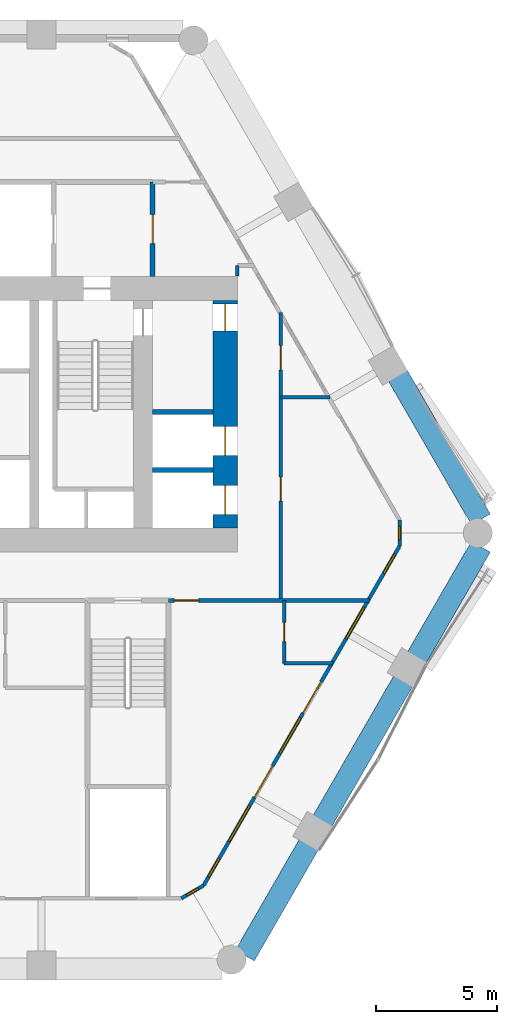
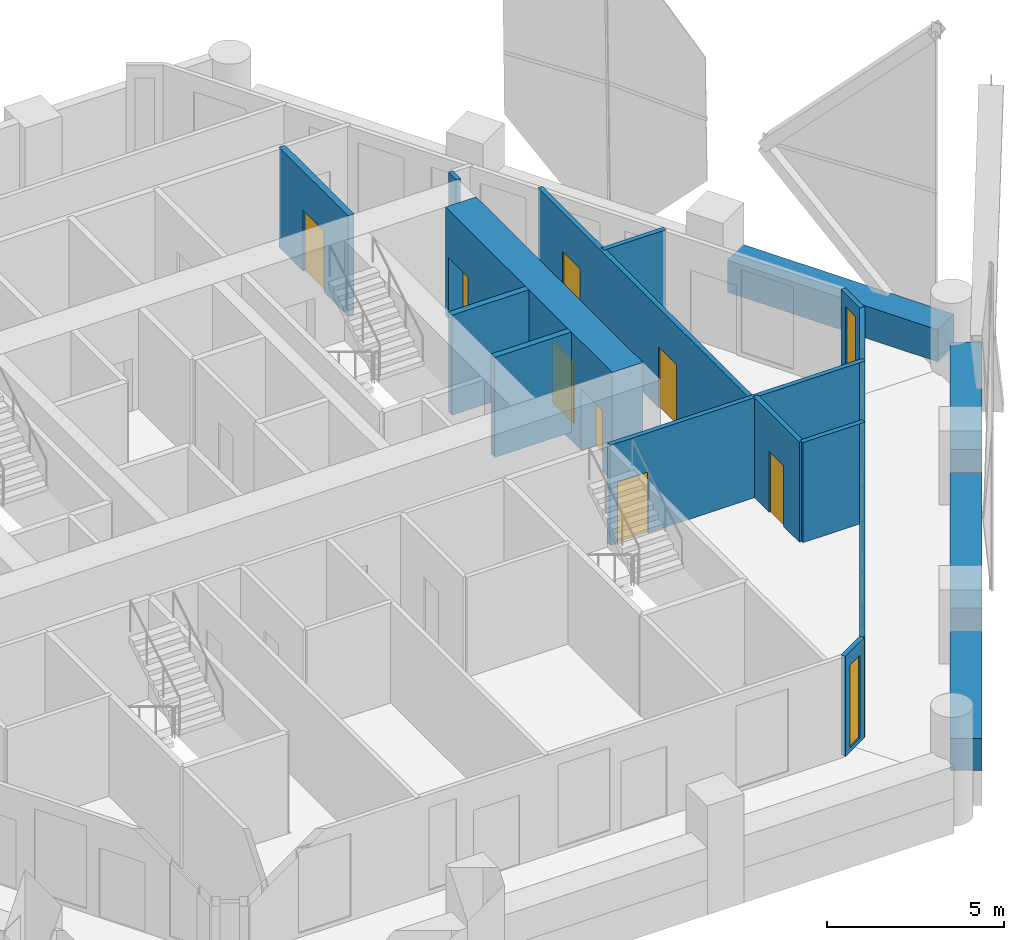
# One storey, part 12 of 17: 17 walls, 10 doors, 7 windows, 17 openings.
"""IFC4 building model written with IfcOpenShell, lengths in metres."""

from ifc_helpers import new_model, si_unit, direction, frame, frame_2d, origin, place, context, subcontext, project, spatial, rectangle, extrude, material, layer, layer_set, type_object, element, fill, save


model = new_model("IFC4")

# Units and contexts
model_context = context("Model", 3, precision=1e-05, world=origin(), true_north=direction((0.0, 1.0)))
body_context = subcontext(model_context, "Body", "Model", "MODEL_VIEW")
ifc_project = project(units=[si_unit("LENGTHUNIT", "METRE"), si_unit("AREAUNIT", "SQUARE_METRE"), si_unit("VOLUMEUNIT", "CUBIC_METRE"), si_unit("PLANEANGLEUNIT", "RADIAN"), si_unit("MASSUNIT", "GRAM", prefix="KILO")], contexts=[model_context])

# Site, building, storey
site_placement = place(None, origin())
site = spatial("IfcSite", under=ifc_project, at=site_placement, CompositionType="ELEMENT")
building_placement = place(site_placement, origin())
building = spatial("IfcBuilding", under=site, at=building_placement, Name="Ostrander Bayou Hotel Tower", CompositionType="ELEMENT")
storey_placement = place(building_placement, frame((0.0, 0.0, 127.25)))
storey = spatial("IfcBuildingStorey", under=building, at=storey_placement, Name="L31", CompositionType="ELEMENT", Elevation=127.25)

# Wall, openings, doors
ifc_material_1 = material(Name="Concrete f'c 70 MPa", Category="concrete")
ifc_layer_1 = layer(ifc_material_1, 1.0)
ifc_layer_set_1 = layer_set([ifc_layer_1], Name="CW4 core wall 1000 mm f'c 70 MPa")
wall_type_1 = type_object("IfcWallType", Name="CW4 core wall 1000 mm f'c 70 MPa", PredefinedType="SHEAR", material=ifc_layer_set_1)
wall_1_placement = place(storey_placement, frame((11.5, -0.699951171875, -0.300048828125), z_axis=(0.0, 0.0, 1.0), x_axis=(0.0, 1.0, 0.0)))
wall_1 = element("IfcWall", 1, at=wall_1_placement, inside=storey, type_object=wall_type_1, Name="CW4 L31 RE", PredefinedType="SHEAR", context=body_context, shape_type="SweptSolid", body=[
    extrude(rectangle(XDim=9.39990234375, YDim=1.0, at=frame_2d((4.699951171875, 0.0))), origin(), (0.0, 0.0, 1.0), 3.75),
])
opening_1_placement = place(wall_1_placement, frame((8.14990234375, 0.0, 0.0)))
opening_1 = element("IfcOpeningElement", 2, at=opening_1_placement, cuts=wall_1, Name="Opening T31-018", PredefinedType="OPENING", context=body_context, shape_type="SweptSolid", body=[
    extrude(rectangle(XDim=1.10009765625, YDim=2.10009765625, at=frame_2d((0.550048828125, 1.050048828125))), frame((0.0, 0.5, 0.0), z_axis=(0.0, -1.0, 0.0), x_axis=(1.0, 0.0, 0.0)), (0.0, 0.0, 1.0), 1.0),
])
opening_2_placement = place(wall_1_placement, frame((0.550048828125, 0.0, 0.0)))
opening_2 = element("IfcOpeningElement", 3, at=opening_2_placement, cuts=wall_1, Name="Opening T31-019", PredefinedType="OPENING", context=body_context, shape_type="SweptSolid", body=[
    extrude(rectangle(XDim=1.199951171875, YDim=2.10009765625, at=frame_2d((0.60009765625, 1.050048828125))), frame((0.0, 0.5, 0.0), z_axis=(0.0, -1.0, 0.0), x_axis=(1.0, 0.0, 0.0)), (0.0, 0.0, 1.0), 1.0),
])
opening_3_placement = place(wall_1_placement, frame((3.0, 0.0, 0.0)))
opening_3 = element("IfcOpeningElement", 4, at=opening_3_placement, cuts=wall_1, Name="Opening T31-020", PredefinedType="OPENING", context=body_context, shape_type="SweptSolid", body=[
    extrude(rectangle(XDim=1.199951171875, YDim=2.10009765625, at=frame_2d((0.60009765625, 1.050048828125))), frame((0.0, 0.5, 0.0), z_axis=(0.0, -1.0, 0.0), x_axis=(1.0, 0.0, 0.0)), (0.0, 0.0, 1.0), 1.0),
])
ifc_material_2 = material(Name="Timber door leaf", Category="wood")
door_type_1 = type_object("IfcDoorType", Name="D5 stair door 1100 x 2100 mm, 90 minute", OperationType="SINGLE_SWING_LEFT", PredefinedType="DOOR", material=ifc_material_2)
door_1_placement = place(opening_1_placement, origin())
door_1 = element("IfcDoor", 5, at=door_1_placement, inside=storey, type_object=door_type_1, Name="dr:L31:018", OperationType="SINGLE_SWING_RIGHT", OverallHeight=2.10009765625, OverallWidth=1.10009765625, PredefinedType="DOOR", context=body_context, shape_type="SweptSolid", body=[
    extrude(rectangle(XDim=1.10009765625, YDim=2.10009765625, at=frame_2d((0.550048828125, 1.050048828125))), frame((0.0, 0.02490234375, 0.0), z_axis=(0.0, -1.0, 0.0), x_axis=(1.0, 0.0, 0.0)), (0.0, 0.0, 1.0), 0.050048828125),
])
fill(opening_1, door_1)
ifc_material_3 = material(Name="Stainless steel sliding door", Category="steel")
door_type_2 = type_object("IfcDoorType", Name="LD1 lift landing door 1200 x 2100 mm", OperationType="SINGLE_SWING_LEFT", PredefinedType="DOOR", material=ifc_material_3)
door_2_placement = place(opening_2_placement, origin())
door_2 = element("IfcDoor", 6, at=door_2_placement, inside=storey, type_object=door_type_2, Name="dr:L31:019", OperationType="SLIDING_TO_LEFT", OverallHeight=2.10009765625, OverallWidth=1.199951171875, PredefinedType="DOOR", context=body_context, shape_type="SweptSolid", body=[
    extrude(rectangle(XDim=1.199951171875, YDim=2.10009765625, at=frame_2d((0.60009765625, 1.050048828125))), frame((0.0, 0.02490234375, 0.0), z_axis=(0.0, -1.0, 0.0), x_axis=(1.0, 0.0, 0.0)), (0.0, 0.0, 1.0), 0.050048828125),
])
fill(opening_2, door_2)
door_3_placement = place(opening_3_placement, origin())
door_3 = element("IfcDoor", 7, at=door_3_placement, inside=storey, type_object=door_type_2, Name="dr:L31:020", OperationType="SLIDING_TO_LEFT", OverallHeight=2.10009765625, OverallWidth=1.199951171875, PredefinedType="DOOR", context=body_context, shape_type="SweptSolid", body=[
    extrude(rectangle(XDim=1.199951171875, YDim=2.10009765625, at=frame_2d((0.60009765625, 1.050048828125))), frame((0.0, 0.02490234375, 0.0), z_axis=(0.0, -1.0, 0.0), x_axis=(1.0, 0.0, 0.0)), (0.0, 0.0, 1.0), 0.050048828125),
])
fill(opening_3, door_3)

# Wall, openings, doors, windows
ifc_material_4 = material(Name="Aluminium framed insulated wall", Category="aluminium")
ifc_layer_2 = layer(ifc_material_4, 0.14990234375)
ifc_layer_set_2 = layer_set([ifc_layer_2], Name="GW1 glass-line wall 150 mm")
wall_type_2 = type_object("IfcWallType", Name="GW1 glass-line wall 150 mm", PredefinedType="SOLIDWALL", material=ifc_layer_set_2)
wall_2_placement = place(storey_placement, frame((10.60498046875, -15.4814453125, 0.0), z_axis=(0.0, 0.0, 1.0), x_axis=(0.500010582961, 0.866019293623, 0.0)))
wall_2 = element("IfcWall", 8, at=wall_2_placement, inside=storey, type_object=wall_type_2, Name="GW1 L31 SE 1", PredefinedType="SOLIDWALL", context=body_context, shape_type="SweptSolid", body=[
    extrude(rectangle(XDim=16.209716796875, YDim=0.14990234375, at=frame_2d((8.10498046875, 0.0))), origin(), (0.0, 0.0, 1.0), 3.449951171875),
])
opening_4_placement = place(wall_2_placement, frame((2.10498046875, 0.0, 0.14990234375)))
opening_4 = element("IfcOpeningElement", 9, at=opening_4_placement, cuts=wall_2, Name="Opening W2", PredefinedType="OPENING", context=body_context, shape_type="SweptSolid", body=[
    extrude(rectangle(XDim=1.699951171875, YDim=2.85009765625, at=frame_2d((0.85009765625, 1.425048828125))), frame((0.0, 0.074951171875, 0.0), z_axis=(0.0, -1.0, 0.0), x_axis=(1.0, 0.0, 0.0)), (0.0, 0.0, 1.0), 0.14990234375),
])
opening_5_placement = place(wall_2_placement, frame((4.204833984375, 0.0, 0.0)))
opening_5 = element("IfcOpeningElement", 10, at=opening_5_placement, cuts=wall_2, Name="Opening T31-806", PredefinedType="OPENING", context=body_context, shape_type="SweptSolid", body=[
    extrude(rectangle(XDim=1.5, YDim=2.39990234375, at=frame_2d((0.75, 1.199951171875))), frame((0.0, 0.074951171875, 0.0), z_axis=(0.0, -1.0, 0.0), x_axis=(1.0, 0.0, 0.0)), (0.0, 0.0, 1.0), 0.14990234375),
])
opening_6_placement = place(wall_2_placement, frame((6.304931640625, 0.0, 0.14990234375)))
opening_6 = element("IfcOpeningElement", 11, at=opening_6_placement, cuts=wall_2, Name="Opening W2", PredefinedType="OPENING", context=body_context, shape_type="SweptSolid", body=[
    extrude(rectangle(XDim=1.699951171875, YDim=2.85009765625, at=frame_2d((0.85009765625, 1.425048828125))), frame((0.0, 0.074951171875, 0.0), z_axis=(0.0, -1.0, 0.0), x_axis=(1.0, 0.0, 0.0)), (0.0, 0.0, 1.0), 0.14990234375),
])
opening_7_placement = place(wall_2_placement, frame((8.227783203125, 0.0, 0.0)))
opening_7 = element("IfcOpeningElement", 12, at=opening_7_placement, cuts=wall_2, Name="Opening T31-807", PredefinedType="OPENING", context=body_context, shape_type="SweptSolid", body=[
    extrude(rectangle(XDim=1.5, YDim=2.39990234375, at=frame_2d((0.75, 1.199951171875))), frame((0.0, 0.074951171875, 0.0), z_axis=(0.0, -1.0, 0.0), x_axis=(1.0, 0.0, 0.0)), (0.0, 0.0, 1.0), 0.14990234375),
])
opening_8_placement = place(wall_2_placement, frame((11.780029296875, 0.0, 0.14990234375)))
opening_8 = element("IfcOpeningElement", 13, at=opening_8_placement, cuts=wall_2, Name="Opening W12", PredefinedType="OPENING", context=body_context, shape_type="SweptSolid", body=[
    extrude(rectangle(XDim=1.5, YDim=2.85009765625, at=frame_2d((0.75, 1.425048828125))), frame((0.0, 0.074951171875, 0.0), z_axis=(0.0, -1.0, 0.0), x_axis=(1.0, 0.0, 0.0)), (0.0, 0.0, 1.0), 0.14990234375),
])
opening_9_placement = place(wall_2_placement, frame((0.40234375, 0.0, 0.14990234375)))
opening_9 = element("IfcOpeningElement", 14, at=opening_9_placement, cuts=wall_2, Name="Opening W16", PredefinedType="OPENING", context=body_context, shape_type="SweptSolid", body=[
    extrude(rectangle(XDim=0.89990234375, YDim=2.72998046875, at=frame_2d((0.449951171875, 1.364990234375))), frame((0.0, 0.074951171875, 0.0), z_axis=(0.0, -1.0, 0.0), x_axis=(1.0, 0.0, 0.0)), (0.0, 0.0, 1.0), 0.14990234375),
])
opening_10_placement = place(wall_2_placement, frame((14.9072265625, 0.0, 0.14990234375)))
opening_10 = element("IfcOpeningElement", 15, at=opening_10_placement, cuts=wall_2, Name="Opening W16", PredefinedType="OPENING", context=body_context, shape_type="SweptSolid", body=[
    extrude(rectangle(XDim=0.89990234375, YDim=2.72998046875, at=frame_2d((0.449951171875, 1.364990234375))), frame((0.0, 0.074951171875, 0.0), z_axis=(0.0, -1.0, 0.0), x_axis=(1.0, 0.0, 0.0)), (0.0, 0.0, 1.0), 0.14990234375),
])
ifc_material_5 = material(Name="Aluminium and clear glass", Category="aluminium")
door_type_3 = type_object("IfcDoorType", Name="SD2 sliding glass door 1500 mm, zone 2", OperationType="SLIDING_TO_LEFT", PredefinedType="DOOR", material=ifc_material_5)
door_4_placement = place(opening_5_placement, origin())
door_4 = element("IfcDoor", 16, at=door_4_placement, inside=storey, type_object=door_type_3, Name="SD2 L31 SE 1", OperationType="SLIDING_TO_LEFT", OverallHeight=2.39990234375, OverallWidth=1.5, PredefinedType="DOOR", context=body_context, shape_type="SweptSolid", body=[
    extrude(rectangle(XDim=1.5, YDim=2.39990234375, at=frame_2d((0.75, 1.199951171875))), frame((0.0, 0.02490234375, 0.0), z_axis=(0.0, -1.0, 0.0), x_axis=(1.0, 0.0, 0.0)), (0.0, 0.0, 1.0), 0.050048828125),
])
fill(opening_5, door_4)
door_5_placement = place(opening_7_placement, origin())
door_5 = element("IfcDoor", 17, at=door_5_placement, inside=storey, type_object=door_type_3, Name="SD2 L31 SE 2", OperationType="SLIDING_TO_RIGHT", OverallHeight=2.39990234375, OverallWidth=1.5, PredefinedType="DOOR", context=body_context, shape_type="SweptSolid", body=[
    extrude(rectangle(XDim=1.5, YDim=2.39990234375, at=frame_2d((0.75, 1.199951171875))), frame((0.0, 0.02490234375, 0.0), z_axis=(0.0, -1.0, 0.0), x_axis=(1.0, 0.0, 0.0)), (0.0, 0.0, 1.0), 0.050048828125),
])
fill(opening_7, door_5)
ifc_material_6 = material(Name="Aluminium and clear glass", Category="aluminium")
window_type_1 = type_object("IfcWindowType", Name="W12 fixed window 1500 mm, bath bay, zone 2", PartitioningType="SINGLE_PANEL", PredefinedType="WINDOW", material=ifc_material_6)
window_1_placement = place(opening_8_placement, origin())
window_1 = element("IfcWindow", 18, at=window_1_placement, inside=storey, type_object=window_type_1, Name="W12 L31 SE 3", OverallHeight=2.85009765625, OverallWidth=1.5, PartitioningType="SINGLE_PANEL", PredefinedType="WINDOW", context=body_context, shape_type="SweptSolid", body=[
    extrude(rectangle(XDim=1.5, YDim=2.85009765625, at=frame_2d((0.75, 1.425048828125))), frame((0.0, 0.030029296875, 0.0), z_axis=(0.0, -1.0, 0.0), x_axis=(1.0, 0.0, 0.0)), (0.0, 0.0, 1.0), 0.06005859375),
])
fill(opening_8, window_1)
ifc_material_7 = material(Name="Aluminium and clear glass", Category="aluminium")
window_type_2 = type_object("IfcWindowType", Name="W16 window 900 mm, zone 2", PartitioningType="SINGLE_PANEL", PredefinedType="WINDOW", material=ifc_material_7)
window_2_placement = place(opening_9_placement, origin())
window_2 = element("IfcWindow", 19, at=window_2_placement, inside=storey, type_object=window_type_2, Name="W16 L31 SE E11", OverallHeight=2.72998046875, OverallWidth=0.89990234375, PartitioningType="SINGLE_PANEL", PredefinedType="WINDOW", context=body_context, shape_type="SweptSolid", body=[
    extrude(rectangle(XDim=0.89990234375, YDim=2.72998046875, at=frame_2d((0.449951171875, 1.364990234375))), frame((0.0, 0.030029296875, 0.0), z_axis=(0.0, -1.0, 0.0), x_axis=(1.0, 0.0, 0.0)), (0.0, 0.0, 1.0), 0.06005859375),
])
fill(opening_9, window_2)
window_3_placement = place(opening_10_placement, origin())
window_3 = element("IfcWindow", 20, at=window_3_placement, inside=storey, type_object=window_type_2, Name="W16 L31 SE E21", OverallHeight=2.72998046875, OverallWidth=0.89990234375, PartitioningType="SINGLE_PANEL", PredefinedType="WINDOW", context=body_context, shape_type="SweptSolid", body=[
    extrude(rectangle(XDim=0.89990234375, YDim=2.72998046875, at=frame_2d((0.449951171875, 1.364990234375))), frame((0.0, 0.030029296875, 0.0), z_axis=(0.0, -1.0, 0.0), x_axis=(1.0, 0.0, 0.0)), (0.0, 0.0, 1.0), 0.06005859375),
])
fill(opening_10, window_3)
ifc_material_8 = material(Name="Aluminium and clear glass", Category="aluminium")
window_type_3 = type_object("IfcWindowType", Name="W2 fixed window 1700 mm, zone 2", PartitioningType="SINGLE_PANEL", PredefinedType="WINDOW", material=ifc_material_8)
window_4_placement = place(opening_4_placement, origin())
window_4 = element("IfcWindow", 21, at=window_4_placement, inside=storey, type_object=window_type_3, Name="W2 L31 SE 1", OverallHeight=2.85009765625, OverallWidth=1.699951171875, PartitioningType="SINGLE_PANEL", PredefinedType="WINDOW", context=body_context, shape_type="SweptSolid", body=[
    extrude(rectangle(XDim=1.699951171875, YDim=2.85009765625, at=frame_2d((0.85009765625, 1.425048828125))), frame((0.0, 0.030029296875, 0.0), z_axis=(0.0, -1.0, 0.0), x_axis=(1.0, 0.0, 0.0)), (0.0, 0.0, 1.0), 0.06005859375),
])
fill(opening_4, window_4)
window_5_placement = place(opening_6_placement, origin())
window_5 = element("IfcWindow", 22, at=window_5_placement, inside=storey, type_object=window_type_3, Name="W2 L31 SE 2", OverallHeight=2.85009765625, OverallWidth=1.699951171875, PartitioningType="SINGLE_PANEL", PredefinedType="WINDOW", context=body_context, shape_type="SweptSolid", body=[
    extrude(rectangle(XDim=1.699951171875, YDim=2.85009765625, at=frame_2d((0.85009765625, 1.425048828125))), frame((0.0, 0.030029296875, 0.0), z_axis=(0.0, -1.0, 0.0), x_axis=(1.0, 0.0, 0.0)), (0.0, 0.0, 1.0), 0.06005859375),
])
fill(opening_6, window_5)

# Wall, opening, window
wall_3_placement = place(storey_placement, frame((9.6826171875, -16.013916015625, 0.0), z_axis=(0.0, 0.0, 1.0), x_axis=(0.866048165231, 0.499960573946, 0.0)))
wall_3 = element("IfcWall", 23, at=wall_3_placement, inside=storey, type_object=wall_type_2, Name="GW1 L31 corner 4", PredefinedType="SOLIDWALL", context=body_context, shape_type="SweptSolid", body=[
    extrude(rectangle(XDim=1.06494140625, YDim=0.14990234375, at=frame_2d((0.532470703125, 0.0))), origin(), (0.0, 0.0, 1.0), 3.449951171875),
])
opening_11_placement = place(wall_3_placement, frame((0.257568359375, 0.0, 0.14990234375)))
opening_11 = element("IfcOpeningElement", 24, at=opening_11_placement, cuts=wall_3, Name="Opening W19", PredefinedType="OPENING", context=body_context, shape_type="SweptSolid", body=[
    extrude(rectangle(XDim=0.550048828125, YDim=2.85009765625, at=frame_2d((0.27490234375, 1.425048828125))), frame((0.0, 0.074951171875, 0.0), z_axis=(0.0, -1.0, 0.0), x_axis=(1.0, 0.0, 0.0)), (0.0, 0.0, 1.0), 0.14990234375),
])
ifc_material_9 = material(Name="Aluminium and clear glass", Category="aluminium")
window_type_4 = type_object("IfcWindowType", Name="W19 corner window 550 mm", PartitioningType="SINGLE_PANEL", PredefinedType="WINDOW", material=ifc_material_9)
window_6_placement = place(opening_11_placement, origin())
window_6 = element("IfcWindow", 25, at=window_6_placement, inside=storey, type_object=window_type_4, Name="W19 L31 corner 4", OverallHeight=2.85009765625, OverallWidth=0.550048828125, PartitioningType="SINGLE_PANEL", PredefinedType="WINDOW", context=body_context, shape_type="SweptSolid", body=[
    extrude(rectangle(XDim=0.550048828125, YDim=2.85009765625, at=frame_2d((0.27490234375, 1.425048828125))), frame((0.0, 0.030029296875, 0.0), z_axis=(0.0, -1.0, 0.0), x_axis=(1.0, 0.0, 0.0)), (0.0, 0.0, 1.0), 0.06005859375),
])
fill(opening_11, window_6)

wall_4_placement = place(storey_placement, frame((18.7099609375, -1.443603515625, 0.0), z_axis=(0.0, 0.0, 1.0), x_axis=(0.0, 1.0, 0.0)))
wall_4 = element("IfcWall", 26, at=wall_4_placement, inside=storey, type_object=wall_type_2, Name="GW1 L31 corner 5", PredefinedType="SOLIDWALL", context=body_context, shape_type="SweptSolid", body=[
    extrude(rectangle(XDim=1.065185546875, YDim=0.14990234375, at=frame_2d((0.53271484375, 0.0))), origin(), (0.0, 0.0, 1.0), 3.449951171875),
])
opening_12_placement = place(wall_4_placement, frame((0.257568359375, 0.0, 0.14990234375)))
opening_12 = element("IfcOpeningElement", 27, at=opening_12_placement, cuts=wall_4, Name="Opening W19", PredefinedType="OPENING", context=body_context, shape_type="SweptSolid", body=[
    extrude(rectangle(XDim=0.550048828125, YDim=2.85009765625, at=frame_2d((0.27490234375, 1.425048828125))), frame((0.0, 0.074951171875, 0.0), z_axis=(0.0, -1.0, 0.0), x_axis=(1.0, 0.0, 0.0)), (0.0, 0.0, 1.0), 0.14990234375),
])
window_7_placement = place(opening_12_placement, origin())
window_7 = element("IfcWindow", 28, at=window_7_placement, inside=storey, type_object=window_type_4, Name="W19 L31 corner 5", OverallHeight=2.85009765625, OverallWidth=0.550048828125, PartitioningType="SINGLE_PANEL", PredefinedType="WINDOW", context=body_context, shape_type="SweptSolid", body=[
    extrude(rectangle(XDim=0.550048828125, YDim=2.85009765625, at=frame_2d((0.27490234375, 1.425048828125))), frame((0.0, 0.030029296875, 0.0), z_axis=(0.0, -1.0, 0.0), x_axis=(1.0, 0.0, 0.0)), (0.0, 0.0, 1.0), 0.06005859375),
])
fill(opening_12, window_7)

# Walls
ifc_material_10 = material(Name="Concrete f'c 40 MPa", Category="concrete")
ifc_layer_3 = layer(ifc_material_10, 0.89990234375)
ifc_layer_set_3 = layer_set([ifc_layer_3], Name="PA1 stone-faced parapet 900 mm")
wall_type_3 = type_object("IfcWallType", Name="PA1 stone-faced parapet 900 mm", PredefinedType="PARAPET", material=ifc_layer_set_3)
wall_5_placement = place(storey_placement, frame((22.0693359375, -0.347412109375, 0.0), z_axis=(0.0, 0.0, 1.0), x_axis=(-0.500001814021, 0.866024356456, 0.0)))
element("IfcWall", 29, at=wall_5_placement, inside=storey, type_object=wall_type_3, Name="PA1 L31 NE-1", PredefinedType="PARAPET", context=body_context, shape_type="SweptSolid", body=[
    extrude(rectangle(XDim=6.85888671875, YDim=0.89990234375, at=frame_2d((3.429443359375, 0.0))), origin(), (0.0, 0.0, 1.0), 1.10009765625),
])
ifc_material_11 = material(Name="Limestone masonry", Category="masonry")
ifc_layer_4 = layer(ifc_material_11, 0.89990234375)
ifc_layer_set_4 = layer_set([ifc_layer_4], Name="PA2 limestone parapet 900 mm")
wall_type_4 = type_object("IfcWallType", Name="PA2 limestone parapet 900 mm", PredefinedType="PARAPET", material=ifc_layer_set_4)
wall_6_placement = place(storey_placement, frame((12.311767578125, -18.37548828125, 0.0), z_axis=(0.0, 0.0, 1.0), x_axis=(0.499982573574, 0.866035464703, 0.0)))
element("IfcWall", 30, at=wall_6_placement, inside=storey, type_object=wall_type_4, Name="PA2 L31 SE-1", PredefinedType="PARAPET", context=body_context, shape_type="SweptSolid", body=[
    extrude(rectangle(XDim=5.281005859375, YDim=0.89990234375, at=frame_2d((2.640625, 0.0))), origin(), (0.0, 0.0, 1.0), 1.10009765625),
])
wall_7_placement = place(storey_placement, frame((15.522216796875, -12.814697265625, 0.0), z_axis=(0.0, 0.0, 1.0), x_axis=(0.499999023957, 0.866025967302, 0.0)))
element("IfcWall", 31, at=wall_7_placement, inside=storey, type_object=wall_type_4, Name="PA2 L31 SE-2", PredefinedType="PARAPET", context=body_context, shape_type="SweptSolid", body=[
    extrude(rectangle(XDim=6.67333984375, YDim=0.89990234375, at=frame_2d((3.336669921875, 0.0))), origin(), (0.0, 0.0, 1.0), 1.10009765625),
])
wall_8_placement = place(storey_placement, frame((19.428955078125, -6.048095703125, 0.0), z_axis=(0.0, 0.0, 1.0), x_axis=(0.499982573574, 0.866035464703, 0.0)))
element("IfcWall", 32, at=wall_8_placement, inside=storey, type_object=wall_type_4, Name="PA2 L31 SE-3", PredefinedType="PARAPET", context=body_context, shape_type="SweptSolid", body=[
    extrude(rectangle(XDim=5.281005859375, YDim=0.89990234375, at=frame_2d((2.640625, 0.0))), origin(), (0.0, 0.0, 1.0), 1.10009765625),
])

# Wall, opening, door
ifc_material_12 = material(Name="Masonry block", Category="masonry")
ifc_layer_5 = layer(ifc_material_12, 0.199951171875)
ifc_layer_set_5 = layer_set([ifc_layer_5], Name="PT5 stair enclosure wall 200 mm masonry, 2 hour")
wall_type_5 = type_object("IfcWallType", Name="PT5 stair enclosure wall 200 mm masonry, 2 hour", PredefinedType="PARTITIONING", material=ifc_layer_set_5)
wall_9_placement = place(storey_placement, frame((8.5, 9.699951171875, 0.0), z_axis=(0.0, 0.0, 1.0), x_axis=(0.0, 1.0, 0.0)))
wall_9 = element("IfcWall", 33, at=wall_9_placement, inside=storey, type_object=wall_type_5, Name="cs:L31:027", PredefinedType="PARTITIONING", context=body_context, shape_type="SweptSolid", body=[
    extrude(rectangle(XDim=3.900146484375, YDim=0.199951171875, at=frame_2d((1.9501953125, 0.0))), origin(), (0.0, 0.0, 1.0), 3.449951171875),
])
opening_13_placement = place(wall_9_placement, frame((1.35009765625, 0.0, 0.0)))
opening_13 = element("IfcOpeningElement", 34, at=opening_13_placement, cuts=wall_9, Name="Opening T31-012", PredefinedType="OPENING", context=body_context, shape_type="SweptSolid", body=[
    extrude(rectangle(XDim=1.199951171875, YDim=2.10009765625, at=frame_2d((0.60009765625, 1.050048828125))), frame((0.0, 0.10009765625, 0.0), z_axis=(0.0, -1.0, 0.0), x_axis=(1.0, 0.0, 0.0)), (0.0, 0.0, 1.0), 0.199951171875),
])
ifc_material_13 = material(Name="Timber door leaf", Category="wood")
door_type_4 = type_object("IfcDoorType", Name="D7 lobby door 1200 x 2100 mm, 1 hour", OperationType="SINGLE_SWING_LEFT", PredefinedType="DOOR", material=ifc_material_13)
door_6_placement = place(opening_13_placement, origin())
door_6 = element("IfcDoor", 35, at=door_6_placement, inside=storey, type_object=door_type_4, Name="dr:L31:012", OperationType="SINGLE_SWING_LEFT", OverallHeight=2.10009765625, OverallWidth=1.199951171875, PredefinedType="DOOR", context=body_context, shape_type="SweptSolid", body=[
    extrude(rectangle(XDim=1.199951171875, YDim=2.10009765625, at=frame_2d((0.60009765625, 1.050048828125))), frame((0.0, 0.02490234375, 0.0), z_axis=(0.0, -1.0, 0.0), x_axis=(1.0, 0.0, 0.0)), (0.0, 0.0, 1.0), 0.050048828125),
])
fill(opening_13, door_6)

# Walls
ifc_material_14 = material(Name="Masonry block", Category="masonry")
ifc_layer_6 = layer(ifc_material_14, 0.199951171875)
ifc_layer_set_6 = layer_set([ifc_layer_6], Name="PT6 lift shaft wall 200 mm masonry, 2 hour")
wall_type_6 = type_object("IfcWallType", Name="PT6 lift shaft wall 200 mm masonry, 2 hour", PredefinedType="PARTITIONING", material=ifc_layer_set_6)
for number, where, z_axis, x_axis, name in (
    (36, (8.5, 1.699951171875, 0.0), (0.0, 0.0, 1.0), (1.0, 0.0, 0.0), "cs:L31:035"),
    (37, (8.5, 4.10009765625, 0.0), (0.0, 0.0, 1.0), (1.0, 0.0, 0.0), "cs:L31:036"),
):
    element("IfcWall", number, at=place(storey_placement, frame(where, z_axis=z_axis, x_axis=x_axis)), inside=storey, type_object=wall_type_6, Name=name, PredefinedType="PARTITIONING", context=body_context, shape_type="SweptSolid", body=[
        extrude(rectangle(XDim=2.5, YDim=0.199951171875, at=frame_2d((1.25, 0.0))), origin(), (0.0, 0.0, 1.0), 3.449951171875),
    ])
ifc_material_15 = material(Name="Gypsum board partition", Category="finish")
ifc_layer_7 = layer(ifc_material_15, 0.14990234375)
ifc_layer_set_7 = layer_set([ifc_layer_7], Name="PT8 service band wall 150 mm, 1 hour")
wall_type_7 = type_object("IfcWallType", Name="PT8 service band wall 150 mm, 1 hour", PredefinedType="PARTITIONING", material=ifc_layer_set_7)
wall_10_placement = place(storey_placement, frame((13.93505859375, -6.300048828125, 0.0), z_axis=(0.0, 0.0, 1.0), x_axis=(1.0, 0.0, 0.0)))
element("IfcWall", 38, at=wall_10_placement, inside=storey, type_object=wall_type_7, Name="gw:L31:004", PredefinedType="PARTITIONING", context=body_context, shape_type="SweptSolid", body=[
    extrude(rectangle(XDim=2.02294921875, YDim=0.14990234375, at=frame_2d((1.011474609375, 0.0))), origin(), (0.0, 0.0, 1.0), 3.449951171875),
])

# Wall, opening, door
wall_11_placement = place(storey_placement, frame((9.159912109375, -3.699951171875, 0.0), z_axis=(0.0, 0.0, 1.0), x_axis=(1.0, 0.0, 0.0)))
wall_11 = element("IfcWall", 39, at=wall_11_placement, inside=storey, type_object=wall_type_7, Name="gw:L31:007", PredefinedType="PARTITIONING", context=body_context, shape_type="SweptSolid", body=[
    extrude(rectangle(XDim=8.299072265625, YDim=0.14990234375, at=frame_2d((4.1494140625, 0.0))), origin(), (0.0, 0.0, 1.0), 3.449951171875),
])
opening_14_placement = place(wall_11_placement, frame((0.239990234375, 0.0, 0.0)))
opening_14 = element("IfcOpeningElement", 40, at=opening_14_placement, cuts=wall_11, Name="Opening T31-407", PredefinedType="OPENING", context=body_context, shape_type="SweptSolid", body=[
    extrude(rectangle(XDim=1.0, YDim=2.10009765625, at=frame_2d((0.5, 1.050048828125))), frame((0.0, 0.074951171875, 0.0), z_axis=(0.0, -1.0, 0.0), x_axis=(1.0, 0.0, 0.0)), (0.0, 0.0, 1.0), 0.14990234375),
])
ifc_material_16 = material(Name="Timber door leaf", Category="wood")
door_type_5 = type_object("IfcDoorType", Name="D1 guest room door 1000 x 2100 mm, 30 minute", OperationType="SINGLE_SWING_LEFT", PredefinedType="DOOR", material=ifc_material_16)
door_7_placement = place(opening_14_placement, origin())
door_7 = element("IfcDoor", 41, at=door_7_placement, inside=storey, type_object=door_type_5, Name="dr:L31:407", OperationType="SINGLE_SWING_LEFT", OverallHeight=2.10009765625, OverallWidth=1.0, PredefinedType="DOOR", context=body_context, shape_type="SweptSolid", body=[
    extrude(rectangle(XDim=1.0, YDim=2.10009765625, at=frame_2d((0.5, 1.050048828125))), frame((0.0, 0.02490234375, 0.0), z_axis=(0.0, -1.0, 0.0), x_axis=(1.0, 0.0, 0.0)), (0.0, 0.0, 1.0), 0.050048828125),
])
fill(opening_14, door_7)

# Wall
wall_12_placement = place(storey_placement, frame((13.800048828125, 4.699951171875, 0.0), z_axis=(0.0, 0.0, 1.0), x_axis=(1.0, 0.0, 0.0)))
element("IfcWall", 42, at=wall_12_placement, inside=storey, type_object=wall_type_7, Name="gw:L31:009", PredefinedType="PARTITIONING", context=body_context, shape_type="SweptSolid", body=[
    extrude(rectangle(XDim=2.030029296875, YDim=0.14990234375, at=frame_2d((1.01513671875, 0.0))), origin(), (0.0, 0.0, 1.0), 3.449951171875),
])

# Wall, opening, door
wall_13_placement = place(storey_placement, frame((13.93505859375, -6.300048828125, 0.0), z_axis=(0.0, 0.0, 1.0), x_axis=(0.0, 1.0, 0.0)))
wall_13 = element("IfcWall", 43, at=wall_13_placement, inside=storey, type_object=wall_type_7, Name="gw:L31:015", PredefinedType="PARTITIONING", context=body_context, shape_type="SweptSolid", body=[
    extrude(rectangle(XDim=2.60009765625, YDim=0.14990234375, at=frame_2d((1.300048828125, 0.0))), origin(), (0.0, 0.0, 1.0), 3.449951171875),
])
opening_15_placement = place(wall_13_placement, frame((0.89990234375, 0.0, 0.0)))
opening_15 = element("IfcOpeningElement", 44, at=opening_15_placement, cuts=wall_13, Name="Opening T31-408", PredefinedType="OPENING", context=body_context, shape_type="SweptSolid", body=[
    extrude(rectangle(XDim=0.800048828125, YDim=2.10009765625, at=frame_2d((0.39990234375, 1.050048828125))), frame((0.0, 0.074951171875, 0.0), z_axis=(0.0, -1.0, 0.0), x_axis=(1.0, 0.0, 0.0)), (0.0, 0.0, 1.0), 0.14990234375),
])
ifc_material_17 = material(Name="Timber door leaf", Category="wood")
door_type_6 = type_object("IfcDoorType", Name="D2 bathroom door 800 x 2100 mm", OperationType="SINGLE_SWING_LEFT", PredefinedType="DOOR", material=ifc_material_17)
door_8_placement = place(opening_15_placement, origin())
door_8 = element("IfcDoor", 45, at=door_8_placement, inside=storey, type_object=door_type_6, Name="dr:L31:408", OperationType="SINGLE_SWING_RIGHT", OverallHeight=2.10009765625, OverallWidth=0.800048828125, PredefinedType="DOOR", context=body_context, shape_type="SweptSolid", body=[
    extrude(rectangle(XDim=0.800048828125, YDim=2.10009765625, at=frame_2d((0.39990234375, 1.050048828125))), frame((0.0, 0.02490234375, 0.0), z_axis=(0.0, -1.0, 0.0), x_axis=(1.0, 0.0, 0.0)), (0.0, 0.0, 1.0), 0.050048828125),
])
fill(opening_15, door_8)

# Wall, openings, doors
wall_14_placement = place(storey_placement, frame((13.800048828125, -3.699951171875, 0.0), z_axis=(0.0, 0.0, 1.0), x_axis=(0.0, 1.0, 0.0)))
wall_14 = element("IfcWall", 46, at=wall_14_placement, inside=storey, type_object=wall_type_7, Name="gw:L31:016", PredefinedType="PARTITIONING", context=body_context, shape_type="SweptSolid", body=[
    extrude(rectangle(XDim=11.916015625, YDim=0.14990234375, at=frame_2d((5.9580078125, 0.0))), origin(), (0.0, 0.0, 1.0), 3.449951171875),
])
opening_16_placement = place(wall_14_placement, frame((4.10400390625, 0.0, 0.0)))
opening_16 = element("IfcOpeningElement", 47, at=opening_16_placement, cuts=wall_14, Name="Opening T31-411", PredefinedType="OPENING", context=body_context, shape_type="SweptSolid", body=[
    extrude(rectangle(XDim=1.0, YDim=2.10009765625, at=frame_2d((0.5, 1.050048828125))), frame((0.0, 0.074951171875, 0.0), z_axis=(0.0, -1.0, 0.0), x_axis=(1.0, 0.0, 0.0)), (0.0, 0.0, 1.0), 0.14990234375),
])
opening_17_placement = place(wall_14_placement, frame((9.5380859375, 0.0, 0.0)))
opening_17 = element("IfcOpeningElement", 48, at=opening_17_placement, cuts=wall_14, Name="Opening T31-412", PredefinedType="OPENING", context=body_context, shape_type="SweptSolid", body=[
    extrude(rectangle(XDim=1.0, YDim=2.10009765625, at=frame_2d((0.5, 1.050048828125))), frame((0.0, 0.074951171875, 0.0), z_axis=(0.0, -1.0, 0.0), x_axis=(1.0, 0.0, 0.0)), (0.0, 0.0, 1.0), 0.14990234375),
])
ifc_material_18 = material(Name="Timber door leaf", Category="wood")
door_type_7 = type_object("IfcDoorType", Name="D15 room door 1000 x 2100 mm", OperationType="SINGLE_SWING_LEFT", PredefinedType="DOOR", material=ifc_material_18)
door_9_placement = place(opening_16_placement, origin())
door_9 = element("IfcDoor", 49, at=door_9_placement, inside=storey, type_object=door_type_7, Name="dr:L31:411", OperationType="SINGLE_SWING_RIGHT", OverallHeight=2.10009765625, OverallWidth=1.0, PredefinedType="DOOR", context=body_context, shape_type="SweptSolid", body=[
    extrude(rectangle(XDim=1.0, YDim=2.10009765625, at=frame_2d((0.5, 1.050048828125))), frame((0.0, 0.02490234375, 0.0), z_axis=(0.0, -1.0, 0.0), x_axis=(1.0, 0.0, 0.0)), (0.0, 0.0, 1.0), 0.050048828125),
])
fill(opening_16, door_9)
ifc_material_19 = material(Name="Timber door leaf", Category="wood")
door_type_8 = type_object("IfcDoorType", Name="D9 service door 1000 x 2100 mm, 30 minute", OperationType="SINGLE_SWING_LEFT", PredefinedType="DOOR", material=ifc_material_19)
door_10_placement = place(opening_17_placement, origin())
door_10 = element("IfcDoor", 50, at=door_10_placement, inside=storey, type_object=door_type_8, Name="dr:L31:412", OperationType="SINGLE_SWING_LEFT", OverallHeight=2.10009765625, OverallWidth=1.0, PredefinedType="DOOR", context=body_context, shape_type="SweptSolid", body=[
    extrude(rectangle(XDim=1.0, YDim=2.10009765625, at=frame_2d((0.5, 1.050048828125))), frame((0.0, 0.02490234375, 0.0), z_axis=(0.0, -1.0, 0.0), x_axis=(1.0, 0.0, 0.0)), (0.0, 0.0, 1.0), 0.050048828125),
])
fill(opening_17, door_10)

# Wall
wall_15_placement = place(storey_placement, frame((12.0, 9.7099609375, 0.0), z_axis=(0.0, 0.0, 1.0), x_axis=(0.0, 1.0, 0.0)))
element("IfcWall", 51, at=wall_15_placement, inside=storey, type_object=wall_type_7, Name="gw:L31:017", PredefinedType="PARTITIONING", context=body_context, shape_type="SweptSolid", body=[
    extrude(rectangle(XDim=0.43994140625, YDim=0.14990234375, at=frame_2d((0.219970703125, 0.0))), origin(), (0.0, 0.0, 1.0), 3.449951171875),
])

save(model, "model.ifc")
